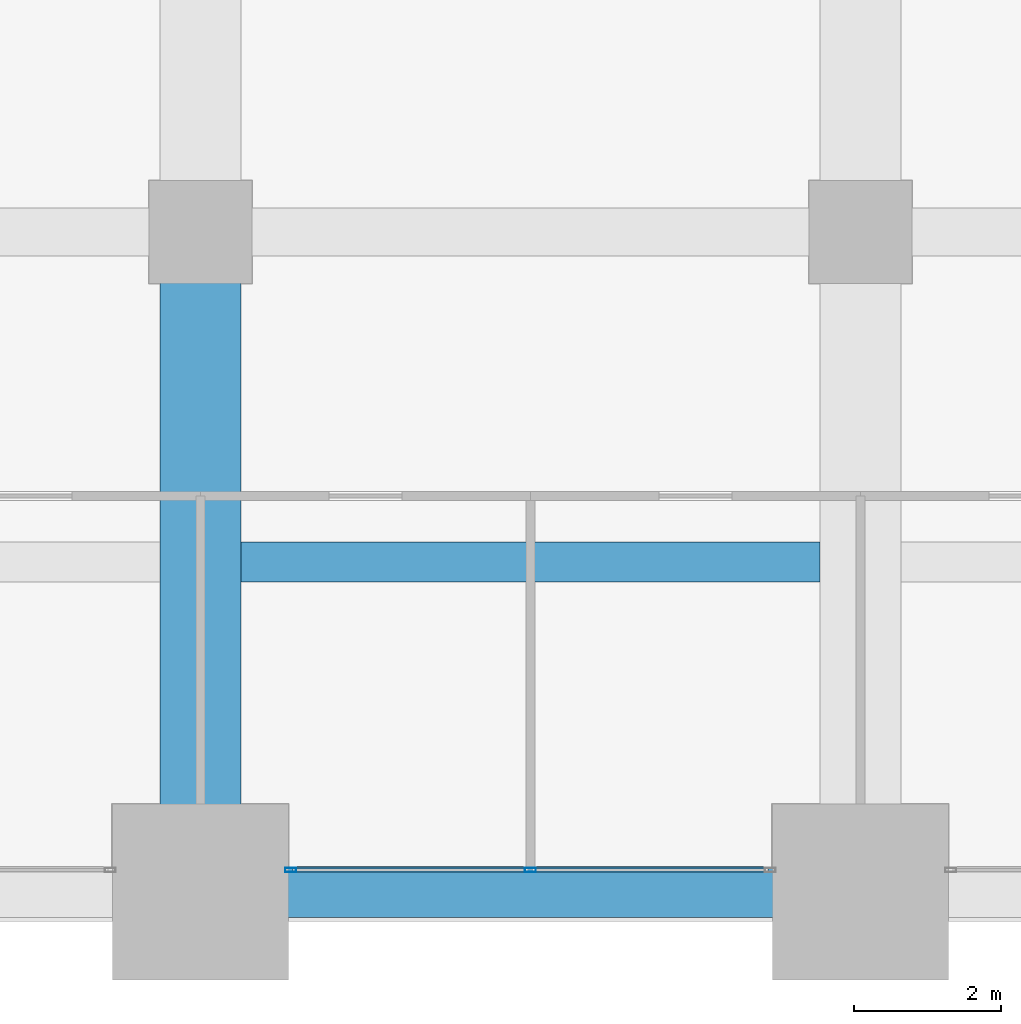
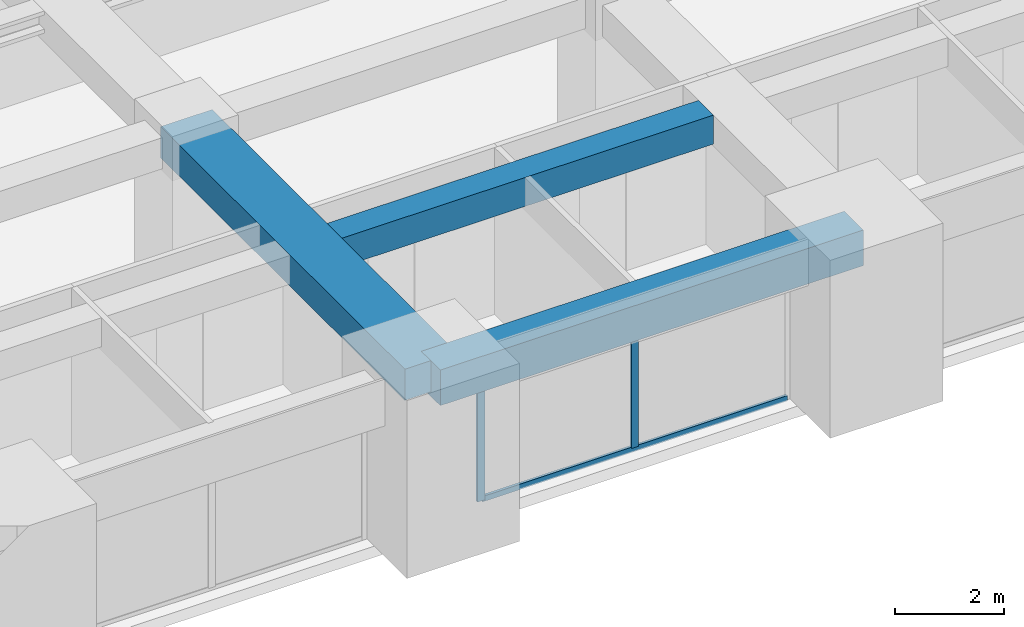
# One storey, part 7 of 33: 3 beams, 3 members, 1 element without a shape of its own.
"""IFC4 building model written with IfcOpenShell, lengths in metres."""

from ifc_helpers import new_model, si_unit, direction, frame, origin, origin_2d, place, context, subcontext, project, spatial, rectangle, hollow_rectangle, extrude, material, material_profile, profile_set, type_object, element, aggregate, save


model = new_model("IFC4")

# Units and contexts
model_context = context("Model", 3, precision=1e-05, world=origin(), true_north=direction((0.0, 1.0)))
body_context = subcontext(model_context, "Body", "Model", "MODEL_VIEW")
ifc_project = project(units=[si_unit("LENGTHUNIT", "METRE"), si_unit("AREAUNIT", "SQUARE_METRE"), si_unit("VOLUMEUNIT", "CUBIC_METRE"), si_unit("PLANEANGLEUNIT", "RADIAN"), si_unit("MASSUNIT", "GRAM", prefix="KILO")], contexts=[model_context])

# Site, building, storey
site_placement = place(None, origin())
site = spatial("IfcSite", under=ifc_project, at=site_placement, CompositionType="ELEMENT")
building_placement = place(site_placement, origin())
building = spatial("IfcBuilding", under=site, at=building_placement, Name="Zorevar Civic Tower", CompositionType="ELEMENT")
storey_placement = place(building_placement, frame((0.0, 0.0, 206.199951171875)))
storey = spatial("IfcBuildingStorey", under=building, at=storey_placement, Name="L50", CompositionType="ELEMENT", Elevation=206.199951171875)

# Beams
ifc_material_1 = material(Name="Concrete C50/60", Category="concrete")
ifc_material_profile_1 = material_profile(ifc_material_1, rectangle(XDim=1.10009765625, YDim=0.699951171875, at=origin_2d()), Name="RC 1100x700")
ifc_profile_set_1 = profile_set([ifc_material_profile_1], Name="Concrete C50/60")
beam_type_1 = type_object("IfcBeamType", Name="Beam RC 1100x700", PredefinedType="BEAM", material=ifc_profile_set_1)
beam_1_placement = place(storey_placement, frame((27.0, 0.0, 3.400146484375), z_axis=(0.0, 1.0, 0.0), x_axis=(-1.0, 0.0, 0.0)))
element("IfcBeam", 1, at=beam_1_placement, inside=storey, type_object=beam_type_1, Name="Girder L51", PredefinedType="BEAM", context=body_context, shape_type="SweptSolid", body=[
    extrude(rectangle(XDim=1.10009765625, YDim=0.699951171875, at=origin_2d()), origin(), (0.0, 0.0, 1.0), 9.0),
])
ifc_material_2 = material(Name="Concrete C50/60", Category="concrete")
ifc_material_profile_2 = material_profile(ifc_material_2, rectangle(XDim=0.550048828125, YDim=0.64990234375, at=origin_2d()), Name="RC 550x650")
ifc_profile_set_2 = profile_set([ifc_material_profile_2], Name="Concrete C50/60")
beam_type_2 = type_object("IfcBeamType", Name="Beam RC 550x650", PredefinedType="BEAM", material=ifc_profile_set_2)
beam_2_placement = place(storey_placement, frame((27.550048828125, 4.5, 3.425048828125), z_axis=(1.0, 0.0, 0.0), x_axis=(0.0, 1.0, 0.0)))
element("IfcBeam", 2, at=beam_2_placement, inside=storey, type_object=beam_type_2, Name="Secondary beam L51", PredefinedType="BEAM", context=body_context, shape_type="SweptSolid", body=[
    extrude(rectangle(XDim=0.550048828125, YDim=0.64990234375, at=origin_2d()), origin(), (0.0, 0.0, 1.0), 7.89990234375),
])

# Curtain wall, members
ifc_material_3 = material(Name="Dark grey solar-control glass in black aluminium frame", Category="aluminium")
curtain_wall_type = type_object("IfcCurtainWallType", Name="Curtain wall CW4 high zone", PredefinedType="NOTDEFINED", material=ifc_material_3)
curtain_wall_placement = place(storey_placement, origin())
curtain_wall = element("IfcCurtainWall", 3, at=curtain_wall_placement, inside=storey, type_object=curtain_wall_type, Name="CW4 L50", PredefinedType="NOTDEFINED")
ifc_material_4 = material(Name="Aluminium, black anodised", Category="aluminium")
ifc_material_profile_3 = material_profile(ifc_material_4, hollow_rectangle(XDim=0.06005859375, YDim=0.14990234375, WallThickness=0.00390625, at=origin_2d()), Name="AL 150x60x4")
ifc_profile_set_3 = profile_set([ifc_material_profile_3], Name="Aluminium, black anodised")
member_type_1 = type_object("IfcMemberType", Name="CW4 mullion AL 150x60x4", PredefinedType="MULLION", material=ifc_profile_set_3)
member_1_placement = place(storey_placement, frame((28.22998046875, 0.300048828125, 0.0), z_axis=(0.0, 0.0, 1.0), x_axis=(0.0, 1.0, 0.0)))
member_1 = element("IfcMember", 4, at=member_1_placement, type_object=member_type_1, Name="CW4 mullion 1", PredefinedType="MULLION", context=body_context, shape_type="SweptSolid", body=[
    extrude(hollow_rectangle(XDim=0.06005859375, YDim=0.14990234375, WallThickness=0.00390625, at=origin_2d()), origin(), (0.0, 0.0, 1.0), 2.949951171875),
])
member_2_placement = place(storey_placement, frame((31.5, 0.300048828125, 0.06005859375), z_axis=(0.0, 0.0, 1.0), x_axis=(0.0, 1.0, 0.0)))
member_2 = element("IfcMember", 5, at=member_2_placement, type_object=member_type_1, Name="CW4 mullion 2", PredefinedType="MULLION", context=body_context, shape_type="SweptSolid", body=[
    extrude(hollow_rectangle(XDim=0.06005859375, YDim=0.14990234375, WallThickness=0.00390625, at=origin_2d()), origin(), (0.0, 0.0, 1.0), 2.889892578125),
])
ifc_material_5 = material(Name="Aluminium, black anodised", Category="aluminium")
ifc_material_profile_4 = material_profile(ifc_material_5, hollow_rectangle(XDim=0.06005859375, YDim=0.1201171875, WallThickness=0.0029296875, at=origin_2d()), Name="AL 120x60x3")
ifc_profile_set_4 = profile_set([ifc_material_profile_4], Name="Aluminium, black anodised")
member_type_2 = type_object("IfcMemberType", Name="CW4 transom AL 120x60x3", PredefinedType="USERDEFINED", material=ifc_profile_set_4)
member_3_placement = place(storey_placement, frame((28.260009765625, 0.300048828125, 0.030029296875), z_axis=(1.0, 0.0, 0.0), x_axis=(0.0, 1.0, 0.0)))
member_3 = element("IfcMember", 6, at=member_3_placement, type_object=member_type_2, Name="CW4 sill transom", ObjectType="TRANSOM", PredefinedType="USERDEFINED", context=body_context, shape_type="SweptSolid", body=[
    extrude(hollow_rectangle(XDim=0.06005859375, YDim=0.1201171875, WallThickness=0.0029296875, at=origin_2d()), origin(), (0.0, 0.0, 1.0), 6.47998046875),
])
aggregate(curtain_wall, [member_1, member_2, member_3])

# Beam
ifc_material_6 = material(Name="Concrete C50/60", Category="concrete")
ifc_material_profile_5 = material_profile(ifc_material_6, rectangle(XDim=0.699951171875, YDim=0.800048828125, at=origin_2d()), Name="RC 700x800")
ifc_profile_set_5 = profile_set([ifc_material_profile_5], Name="Concrete C50/60")
beam_type_3 = type_object("IfcBeamType", Name="Edge beam RC 700x800", PredefinedType="SPANDREL", material=ifc_profile_set_5)
beam_3_placement = place(storey_placement, frame((27.0, 0.0, 3.35009765625), z_axis=(1.0, 0.0, 0.0), x_axis=(0.0, 1.0, 0.0)))
element("IfcBeam", 7, at=beam_3_placement, inside=storey, type_object=beam_type_3, Name="Edge beam L51", PredefinedType="SPANDREL", context=body_context, shape_type="SweptSolid", body=[
    extrude(rectangle(XDim=0.699951171875, YDim=0.800048828125, at=origin_2d()), origin(), (0.0, 0.0, 1.0), 9.0),
])

save(model, "model.ifc")
